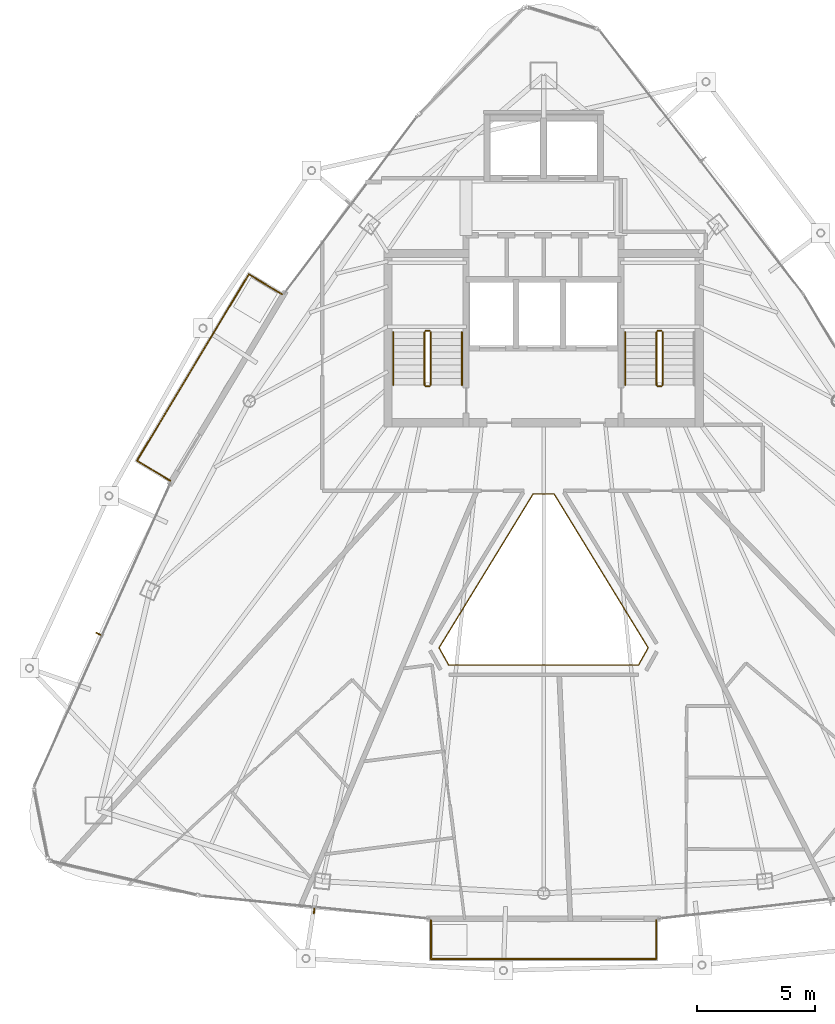
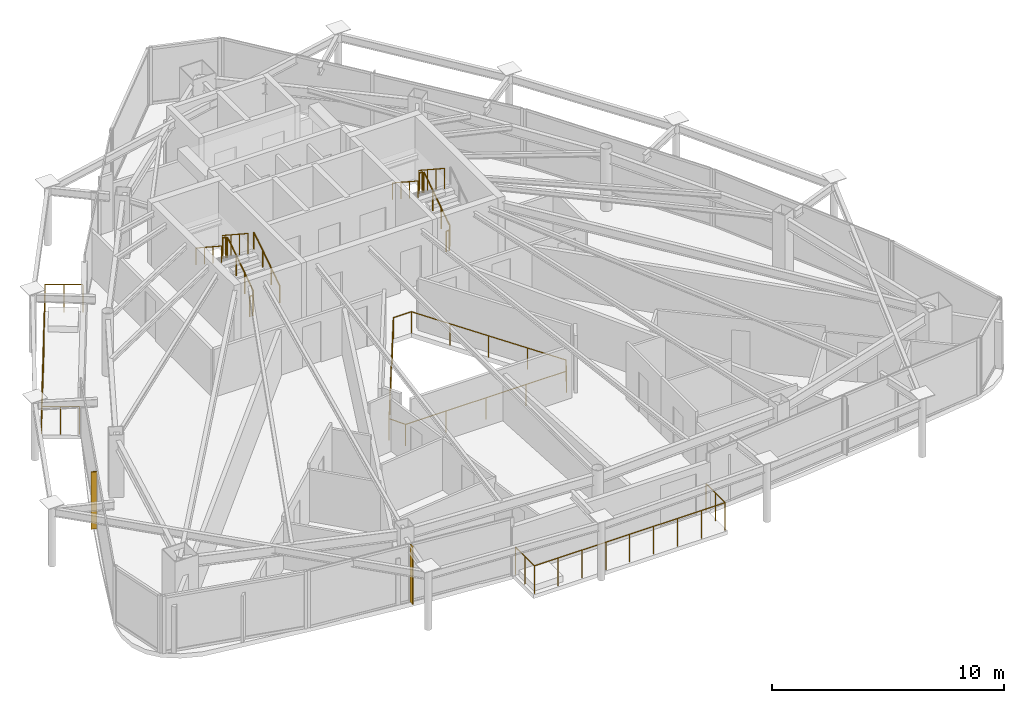
# One storey, part 29 of 30: 14 railings, 2 shading devices.
"""IFC4 building model written with IfcOpenShell, lengths in metres."""

from ifc_helpers import new_model, si_unit, direction, frame, origin, origin_2d, place, context, subcontext, project, spatial, rectangle, circle, extrude, material, layer, layer_set, type_object, element, save


model = new_model("IFC4")

# Units and contexts
model_context = context("Model", 3, precision=1e-05, world=origin(), true_north=direction((0.0, 1.0)))
body_context = subcontext(model_context, "Body", "Model", "MODEL_VIEW")
ifc_project = project(units=[si_unit("LENGTHUNIT", "METRE"), si_unit("AREAUNIT", "SQUARE_METRE"), si_unit("VOLUMEUNIT", "CUBIC_METRE"), si_unit("PLANEANGLEUNIT", "RADIAN"), si_unit("MASSUNIT", "GRAM", prefix="KILO")], contexts=[model_context])

# Site, building, storey
site_placement = place(None, origin())
site = spatial("IfcSite", under=ifc_project, at=site_placement, CompositionType="ELEMENT")
building_placement = place(site_placement, origin())
building = spatial("IfcBuilding", under=site, at=building_placement, Name="Orvanel Arch Residences", CompositionType="ELEMENT")
storey_placement = place(building_placement, frame((0.0, 0.0, 273.35009765625)))
storey = spatial("IfcBuildingStorey", under=building, at=storey_placement, Name="L78", CompositionType="ELEMENT", Elevation=273.35009765625)

# Shading devices
ifc_material_1 = material(Name="Bronze-anodised aluminium AA6063-T6", Category="aluminium")
ifc_layer = layer(ifc_material_1, 0.050048828125)
ifc_layer_set = layer_set([ifc_layer], Name="Bronze-anodised aluminium AA6063-T6")
shading_device_type = type_object("IfcShadingDeviceType", Name="FIN-BRZ-260", PredefinedType="USERDEFINED", material=ifc_layer_set)
for number, where, z_axis, x_axis, name in (
    (1, (14.201904296875, 17.802978515625, 0.0), (0.0, 0.0, 1.0), (-0.912120116172, 0.409923033842, 0.0), "L78 Anodised Bronze Mullion FIN 01"),
    (2, (23.303955078125, 6.10693359375, 0.0), (0.0, 0.0, 1.0), (-0.099319749744, -0.995055569961, 0.0), "L78 Anodised Bronze Mullion FIN 01"),
):
    element("IfcShadingDevice", number, at=place(storey_placement, frame(where, z_axis=z_axis, x_axis=x_axis)), inside=storey, type_object=shading_device_type, Name=name, ObjectType="FIN", PredefinedType="USERDEFINED", context=body_context, shape_type="SweptSolid", body=[
        extrude(rectangle(XDim=0.260009765625, YDim=0.050048828125, at=origin_2d()), origin(), (0.0, 0.0, 1.0), 3.02001953125),
    ])

# Railings
railing_type_1 = type_object("IfcRailingType", Name="RL-ATR-1150", PredefinedType="BALUSTRADE", material=ifc_material_1)
railing_1_placement = place(storey_placement, frame((33.447021484375, 23.7119140625, 0.0)))
element("IfcRailing", 3, at=railing_1_placement, inside=storey, type_object=railing_type_1, Name="L78 Atrium Void Protective Balustrade", PredefinedType="BALUSTRADE", context=body_context, shape_type="SweptSolid", body=[
    extrude(circle(Radius=0.02392578125, at=origin_2d()), frame((-0.00146484375, 0.0, 1.1259765625), z_axis=(-1.0, 0.0, 0.0), x_axis=(0.0, -1.0, 0.0)), (0.0, 0.0, 1.0), 0.89111328125),
    extrude(circle(Radius=0.02392578125, at=origin_2d()), frame((-0.894775390625, -0.001220703125, 1.1259765625), z_axis=(-0.521612229543, -0.853182677972, 0.0), x_axis=(0.853182677972, -0.521612229543, 0.0)), (0.0, 0.0, 1.0), 7.606201171875),
    extrude(circle(Radius=0.02392578125, at=origin_2d()), frame((-4.8623046875, -6.4931640625, 1.1259765625), z_axis=(0.488629954368, -0.872491127573, 0.0), x_axis=(0.872491127573, 0.488629954368, 0.0)), (0.0, 0.0, 1.0), 0.8359375),
    extrude(circle(Radius=0.02392578125, at=origin_2d()), frame((-4.45166015625, -7.223876953125, 1.1259765625), z_axis=(1.0, 0.0, 0.0), x_axis=(0.0, 1.0, 0.0)), (0.0, 0.0, 1.0), 8.00927734375),
    extrude(circle(Radius=0.02392578125, at=origin_2d()), frame((3.559814453125, -7.22265625, 1.1259765625), z_axis=(0.488629954368, 0.872491127573, 0.0), x_axis=(-0.872491127573, 0.488629954368, 0.0)), (0.0, 0.0, 1.0), 0.8359375),
    extrude(circle(Radius=0.02392578125, at=origin_2d()), frame((3.96826171875, -6.49072265625, 1.1259765625), z_axis=(-0.521612229543, 0.853182677972, 0.0), x_axis=(-0.853182677972, -0.521612229543, 0.0)), (0.0, 0.0, 1.0), 7.606201171875),
    extrude(circle(Radius=0.02099609375, at=origin_2d()), origin(), (0.0, 0.0, 1.0), 1.099853515625),
    extrude(circle(Radius=0.02099609375, at=origin_2d()), frame((-0.89404296875, 0.0, 0.0)), (0.0, 0.0, 1.0), 1.099853515625),
    extrude(circle(Radius=0.02099609375, at=origin_2d()), frame((-1.88623046875, -1.623046875, 0.0)), (0.0, 0.0, 1.0), 1.099853515625),
    extrude(circle(Radius=0.02099609375, at=origin_2d()), frame((-2.87841796875, -3.24609375, 0.0)), (0.0, 0.0, 1.0), 1.099853515625),
    extrude(circle(Radius=0.02099609375, at=origin_2d()), frame((-3.870849609375, -4.868896484375, 0.0)), (0.0, 0.0, 1.0), 1.099853515625),
    extrude(circle(Radius=0.02099609375, at=origin_2d()), frame((-4.863037109375, -6.491943359375, 0.0)), (0.0, 0.0, 1.0), 1.099853515625),
    extrude(circle(Radius=0.02099609375, at=origin_2d()), frame((-4.453125, -7.223876953125, 0.0)), (0.0, 0.0, 1.0), 1.099853515625),
    extrude(circle(Radius=0.02099609375, at=origin_2d()), frame((-2.4501953125, -7.223876953125, 0.0)), (0.0, 0.0, 1.0), 1.099853515625),
    extrude(circle(Radius=0.02099609375, at=origin_2d()), frame((-0.447021484375, -7.223876953125, 0.0)), (0.0, 0.0, 1.0), 1.099853515625),
    extrude(circle(Radius=0.02099609375, at=origin_2d()), frame((1.55615234375, -7.223876953125, 0.0)), (0.0, 0.0, 1.0), 1.099853515625),
    extrude(circle(Radius=0.02099609375, at=origin_2d()), frame((3.55908203125, -7.223876953125, 0.0)), (0.0, 0.0, 1.0), 1.099853515625),
    extrude(circle(Radius=0.02099609375, at=origin_2d()), frame((3.968994140625, -6.491943359375, 0.0)), (0.0, 0.0, 1.0), 1.099853515625),
    extrude(circle(Radius=0.02099609375, at=origin_2d()), frame((2.976806640625, -4.868896484375, 0.0)), (0.0, 0.0, 1.0), 1.099853515625),
    extrude(circle(Radius=0.02099609375, at=origin_2d()), frame((1.984375, -3.24609375, 0.0)), (0.0, 0.0, 1.0), 1.099853515625),
    extrude(circle(Radius=0.02099609375, at=origin_2d()), frame((0.9921875, -1.623046875, 0.0)), (0.0, 0.0, 1.0), 1.099853515625),
])
railing_type_2 = type_object("IfcRailingType", Name="RL-BAL-1480", PredefinedType="BALUSTRADE", material=ifc_material_1)
railing_2_placement = place(storey_placement, frame((21.950927734375, 32.156982421875, 0.0)))
element("IfcRailing", 4, at=railing_2_placement, inside=storey, type_object=railing_type_2, Name="L78 Balcony Perimeter Guardrail Face 1", PredefinedType="BALUSTRADE", context=body_context, shape_type="SweptSolid", body=[
    extrude(circle(Radius=0.02392578125, at=origin_2d()), frame((-0.001220703125, 0.000732421875, 1.4560546875), z_axis=(-0.857387817543, 0.514670895164, 0.0), x_axis=(-0.514670895164, -0.857387817543, 0.0)), (0.0, 0.0, 1.0), 1.636962890625),
    extrude(circle(Radius=0.02392578125, at=origin_2d()), frame((-1.40673828125, 0.8427734375, 1.4560546875), z_axis=(-0.514374608429, -0.857565602274, 0.0), x_axis=(0.857565602274, -0.514374608429, 0.0)), (0.0, 0.0, 1.0), 9.1845703125),
    extrude(circle(Radius=0.02392578125, at=origin_2d()), frame((-6.130615234375, -7.03564453125, 1.4560546875), z_axis=(0.857545439568, -0.514408222208, 0.0), x_axis=(0.514408222208, 0.857545439568, 0.0)), (0.0, 0.0, 1.0), 1.6376953125),
    extrude(circle(Radius=0.02099609375, at=origin_2d()), origin(), (0.0, 0.0, 1.0), 1.429931640625),
    extrude(circle(Radius=0.02099609375, at=origin_2d()), frame((-0.703125, 0.421875, 0.0)), (0.0, 0.0, 1.0), 1.429931640625),
    extrude(circle(Radius=0.02099609375, at=origin_2d()), frame((-1.406005859375, 0.843994140625, 0.0)), (0.0, 0.0, 1.0), 1.429931640625),
    extrude(circle(Radius=0.02099609375, at=origin_2d()), frame((-1.996826171875, -0.140869140625, 0.0)), (0.0, 0.0, 1.0), 1.429931640625),
    extrude(circle(Radius=0.02099609375, at=origin_2d()), frame((-2.58740234375, -1.125732421875, 0.0)), (0.0, 0.0, 1.0), 1.429931640625),
    extrude(circle(Radius=0.02099609375, at=origin_2d()), frame((-3.17822265625, -2.110595703125, 0.0)), (0.0, 0.0, 1.0), 1.429931640625),
    extrude(circle(Radius=0.02099609375, at=origin_2d()), frame((-3.76904296875, -3.095458984375, 0.0)), (0.0, 0.0, 1.0), 1.429931640625),
    extrude(circle(Radius=0.02099609375, at=origin_2d()), frame((-4.359619140625, -4.080322265625, 0.0)), (0.0, 0.0, 1.0), 1.429931640625),
    extrude(circle(Radius=0.02099609375, at=origin_2d()), frame((-4.950439453125, -5.065185546875, 0.0)), (0.0, 0.0, 1.0), 1.429931640625),
    extrude(circle(Radius=0.02099609375, at=origin_2d()), frame((-5.541015625, -6.050048828125, 0.0)), (0.0, 0.0, 1.0), 1.429931640625),
    extrude(circle(Radius=0.02099609375, at=origin_2d()), frame((-6.1318359375, -7.034912109375, 0.0)), (0.0, 0.0, 1.0), 1.429931640625),
    extrude(circle(Radius=0.02099609375, at=origin_2d()), frame((-5.42822265625, -7.45703125, 0.0)), (0.0, 0.0, 1.0), 1.429931640625),
    extrude(circle(Radius=0.02099609375, at=origin_2d()), frame((-4.724853515625, -7.87890625, 0.0)), (0.0, 0.0, 1.0), 1.429931640625),
])
railing_3_placement = place(storey_placement, frame((28.239990234375, 5.714111328125, 0.0)))
element("IfcRailing", 5, at=railing_3_placement, inside=storey, type_object=railing_type_2, Name="L78 Balcony Perimeter Guardrail Face 2", PredefinedType="BALUSTRADE", context=body_context, shape_type="SweptSolid", body=[
    extrude(circle(Radius=0.02392578125, at=origin_2d()), frame((0.0, -0.00146484375, 1.4560546875), z_axis=(0.0, -1.0, 0.0), x_axis=(1.0, 0.0, 0.0)), (0.0, 0.0, 1.0), 1.63720703125),
    extrude(circle(Radius=0.02392578125, at=origin_2d()), frame((0.00146484375, -1.64013671875, 1.4560546875), z_axis=(1.0, 0.0, 0.0), x_axis=(0.0, 1.0, 0.0)), (0.0, 0.0, 1.0), 9.51708984375),
    extrude(circle(Radius=0.02392578125, at=origin_2d()), frame((9.52001953125, -1.638671875, 1.4560546875), z_axis=(0.0, 1.0, 0.0), x_axis=(-1.0, 0.0, 0.0)), (0.0, 0.0, 1.0), 1.63720703125),
    extrude(circle(Radius=0.02099609375, at=origin_2d()), origin(), (0.0, 0.0, 1.0), 1.429931640625),
    extrude(circle(Radius=0.02099609375, at=origin_2d()), frame((0.0, -0.820068359375, 0.0)), (0.0, 0.0, 1.0), 1.429931640625),
    extrude(circle(Radius=0.02099609375, at=origin_2d()), frame((0.0, -1.64013671875, 0.0)), (0.0, 0.0, 1.0), 1.429931640625),
    extrude(circle(Radius=0.02099609375, at=origin_2d()), frame((1.18994140625, -1.64013671875, 0.0)), (0.0, 0.0, 1.0), 1.429931640625),
    extrude(circle(Radius=0.02099609375, at=origin_2d()), frame((2.3798828125, -1.64013671875, 0.0)), (0.0, 0.0, 1.0), 1.429931640625),
    extrude(circle(Radius=0.02099609375, at=origin_2d()), frame((3.570068359375, -1.64013671875, 0.0)), (0.0, 0.0, 1.0), 1.429931640625),
    extrude(circle(Radius=0.02099609375, at=origin_2d()), frame((4.760009765625, -1.64013671875, 0.0)), (0.0, 0.0, 1.0), 1.429931640625),
    extrude(circle(Radius=0.02099609375, at=origin_2d()), frame((5.949951171875, -1.64013671875, 0.0)), (0.0, 0.0, 1.0), 1.429931640625),
    extrude(circle(Radius=0.02099609375, at=origin_2d()), frame((7.14013671875, -1.64013671875, 0.0)), (0.0, 0.0, 1.0), 1.429931640625),
    extrude(circle(Radius=0.02099609375, at=origin_2d()), frame((8.330078125, -1.64013671875, 0.0)), (0.0, 0.0, 1.0), 1.429931640625),
    extrude(circle(Radius=0.02099609375, at=origin_2d()), frame((9.52001953125, -1.64013671875, 0.0)), (0.0, 0.0, 1.0), 1.429931640625),
    extrude(circle(Radius=0.02099609375, at=origin_2d()), frame((9.52001953125, -0.820068359375, 0.0)), (0.0, 0.0, 1.0), 1.429931640625),
    extrude(circle(Radius=0.02099609375, at=origin_2d()), frame((9.52001953125, 0.0, 0.0)), (0.0, 0.0, 1.0), 1.429931640625),
])
ifc_material_2 = material(Name="Structural steel AS/NZS 1163 C350L0 (Grade 350)", Category="steel")
railing_type_3 = type_object("IfcRailingType", Name="RL-STAIR-GUARD", PredefinedType="GUARDRAIL", material=ifc_material_2)
railing_4_placement = place(storey_placement, frame((28.22998046875, 28.320068359375, 0.183349609375)))
element("IfcRailing", 6, at=railing_4_placement, inside=storey, type_object=railing_type_3, Name="L78 ST-1 stair guard 1", PredefinedType="GUARDRAIL", context=body_context, shape_type="SweptSolid", body=[
    extrude(circle(Radius=0.02392578125, at=origin_2d()), frame((0.0, 0.001220703125, 1.076904296875), z_axis=(0.0, 0.836636935527, 0.547757827979), x_axis=(-1.0, 0.0, 0.0)), (0.0, 0.0, 1.0), 2.67431640625),
    extrude(circle(Radius=0.02099609375, at=origin_2d()), origin(), (0.0, 0.0, 1.0), 1.050048828125),
    extrude(circle(Radius=0.02099609375, at=origin_2d()), frame((0.0, 0.74658203125, 0.48876953125)), (0.0, 0.0, 1.0), 1.050048828125),
    extrude(circle(Radius=0.02099609375, at=origin_2d()), frame((0.0, 1.493408203125, 0.977783203125)), (0.0, 0.0, 1.0), 1.050048828125),
    extrude(circle(Radius=0.02099609375, at=origin_2d()), frame((0.0, 2.239990234375, 1.466552734375)), (0.0, 0.0, 1.0), 1.050048828125),
])
railing_5_placement = place(storey_placement, frame((28.179931640625, 30.610107421875, 1.64990234375)))
element("IfcRailing", 7, at=railing_5_placement, inside=storey, type_object=railing_type_3, Name="L78 ST-1 stair guard 2", PredefinedType="GUARDRAIL", context=body_context, shape_type="SweptSolid", body=[
    extrude(circle(Radius=0.02392578125, at=origin_2d()), frame((-0.00146484375, 0.0, 1.076171875), z_axis=(-1.0, 0.0, 0.0), x_axis=(0.0, -1.0, 0.0)), (0.0, 0.0, 1.0), 0.156982421875),
    extrude(circle(Radius=0.02099609375, at=origin_2d()), origin(), (0.0, 0.0, 1.0), 1.050048828125),
    extrude(circle(Radius=0.02099609375, at=origin_2d()), frame((-0.159912109375, 0.0, 0.0)), (0.0, 0.0, 1.0), 1.050048828125),
])
railing_6_placement = place(storey_placement, frame((27.969970703125, 30.56005859375, 1.833251953125)))
element("IfcRailing", 8, at=railing_6_placement, inside=storey, type_object=railing_type_3, Name="L78 ST-1 stair guard 3", PredefinedType="GUARDRAIL", context=body_context, shape_type="SweptSolid", body=[
    extrude(circle(Radius=0.02392578125, at=origin_2d()), frame((0.0, -0.001220703125, 1.076904296875), z_axis=(0.0, -0.836636935527, 0.547757827979), x_axis=(1.0, 0.0, 0.0)), (0.0, 0.0, 1.0), 2.67431640625),
    extrude(circle(Radius=0.02099609375, at=origin_2d()), origin(), (0.0, 0.0, 1.0), 1.050048828125),
    extrude(circle(Radius=0.02099609375, at=origin_2d()), frame((0.0, -0.74658203125, 0.48876953125)), (0.0, 0.0, 1.0), 1.050048828125),
    extrude(circle(Radius=0.02099609375, at=origin_2d()), frame((0.0, -1.493408203125, 0.977783203125)), (0.0, 0.0, 1.0), 1.050048828125),
    extrude(circle(Radius=0.02099609375, at=origin_2d()), frame((0.0, -2.239990234375, 1.466552734375)), (0.0, 0.0, 1.0), 1.050048828125),
])
railing_7_placement = place(storey_placement, frame((28.179931640625, 28.27001953125, 0.0)))
element("IfcRailing", 9, at=railing_7_placement, inside=storey, type_object=railing_type_3, Name="L78 ST-1 stair guard 4", PredefinedType="GUARDRAIL", context=body_context, shape_type="SweptSolid", body=[
    extrude(circle(Radius=0.02392578125, at=origin_2d()), frame((-0.00146484375, 0.0, 1.076171875), z_axis=(-1.0, 0.0, 0.0), x_axis=(0.0, -1.0, 0.0)), (0.0, 0.0, 1.0), 0.156982421875),
    extrude(circle(Radius=0.02099609375, at=origin_2d()), origin(), (0.0, 0.0, 1.0), 1.050048828125),
    extrude(circle(Radius=0.02099609375, at=origin_2d()), frame((-0.159912109375, 0.0, 0.0)), (0.0, 0.0, 1.0), 1.050048828125),
])
railing_8_placement = place(storey_placement, frame((38.030029296875, 28.320068359375, 0.183349609375)))
element("IfcRailing", 10, at=railing_8_placement, inside=storey, type_object=railing_type_3, Name="L78 ST-2 stair guard 1", PredefinedType="GUARDRAIL", context=body_context, shape_type="SweptSolid", body=[
    extrude(circle(Radius=0.02392578125, at=origin_2d()), frame((0.0, 0.001220703125, 1.076904296875), z_axis=(0.0, 0.836636935527, 0.547757827979), x_axis=(-1.0, 0.0, 0.0)), (0.0, 0.0, 1.0), 2.67431640625),
    extrude(circle(Radius=0.02099609375, at=origin_2d()), origin(), (0.0, 0.0, 1.0), 1.050048828125),
    extrude(circle(Radius=0.02099609375, at=origin_2d()), frame((0.0, 0.74658203125, 0.48876953125)), (0.0, 0.0, 1.0), 1.050048828125),
    extrude(circle(Radius=0.02099609375, at=origin_2d()), frame((0.0, 1.493408203125, 0.977783203125)), (0.0, 0.0, 1.0), 1.050048828125),
    extrude(circle(Radius=0.02099609375, at=origin_2d()), frame((0.0, 2.239990234375, 1.466552734375)), (0.0, 0.0, 1.0), 1.050048828125),
])
railing_9_placement = place(storey_placement, frame((37.97998046875, 30.610107421875, 1.64990234375)))
element("IfcRailing", 11, at=railing_9_placement, inside=storey, type_object=railing_type_3, Name="L78 ST-2 stair guard 2", PredefinedType="GUARDRAIL", context=body_context, shape_type="SweptSolid", body=[
    extrude(circle(Radius=0.02392578125, at=origin_2d()), frame((-0.00146484375, 0.0, 1.076171875), z_axis=(-1.0, 0.0, 0.0), x_axis=(0.0, -1.0, 0.0)), (0.0, 0.0, 1.0), 0.156982421875),
    extrude(circle(Radius=0.02099609375, at=origin_2d()), origin(), (0.0, 0.0, 1.0), 1.050048828125),
    extrude(circle(Radius=0.02099609375, at=origin_2d()), frame((-0.159912109375, 0.0, 0.0)), (0.0, 0.0, 1.0), 1.050048828125),
])
railing_10_placement = place(storey_placement, frame((37.77001953125, 30.56005859375, 1.833251953125)))
element("IfcRailing", 12, at=railing_10_placement, inside=storey, type_object=railing_type_3, Name="L78 ST-2 stair guard 3", PredefinedType="GUARDRAIL", context=body_context, shape_type="SweptSolid", body=[
    extrude(circle(Radius=0.02392578125, at=origin_2d()), frame((0.0, -0.001220703125, 1.076904296875), z_axis=(0.0, -0.836636935527, 0.547757827979), x_axis=(1.0, 0.0, 0.0)), (0.0, 0.0, 1.0), 2.67431640625),
    extrude(circle(Radius=0.02099609375, at=origin_2d()), origin(), (0.0, 0.0, 1.0), 1.050048828125),
    extrude(circle(Radius=0.02099609375, at=origin_2d()), frame((0.0, -0.74658203125, 0.48876953125)), (0.0, 0.0, 1.0), 1.050048828125),
    extrude(circle(Radius=0.02099609375, at=origin_2d()), frame((0.0, -1.493408203125, 0.977783203125)), (0.0, 0.0, 1.0), 1.050048828125),
    extrude(circle(Radius=0.02099609375, at=origin_2d()), frame((0.0, -2.239990234375, 1.466552734375)), (0.0, 0.0, 1.0), 1.050048828125),
])
railing_11_placement = place(storey_placement, frame((37.97998046875, 28.27001953125, 0.0)))
element("IfcRailing", 13, at=railing_11_placement, inside=storey, type_object=railing_type_3, Name="L78 ST-2 stair guard 4", PredefinedType="GUARDRAIL", context=body_context, shape_type="SweptSolid", body=[
    extrude(circle(Radius=0.02392578125, at=origin_2d()), frame((-0.00146484375, 0.0, 1.076171875), z_axis=(-1.0, 0.0, 0.0), x_axis=(0.0, -1.0, 0.0)), (0.0, 0.0, 1.0), 0.156982421875),
    extrude(circle(Radius=0.02099609375, at=origin_2d()), origin(), (0.0, 0.0, 1.0), 1.050048828125),
    extrude(circle(Radius=0.02099609375, at=origin_2d()), frame((-0.159912109375, 0.0, 0.0)), (0.0, 0.0, 1.0), 1.050048828125),
])
railing_type_4 = type_object("IfcRailingType", Name="RL-STAIR-HAND", PredefinedType="HANDRAIL", material=ifc_material_2)
railing_12_placement = place(storey_placement, frame((29.550048828125, 28.320068359375, 0.183349609375)))
element("IfcRailing", 14, at=railing_12_placement, inside=storey, type_object=railing_type_4, Name="L78 ST-1 stair handrail 1", PredefinedType="HANDRAIL", context=body_context, shape_type="SweptSolid", body=[
    extrude(circle(Radius=0.02392578125, at=origin_2d()), frame((0.0, 0.001220703125, 0.876708984375), z_axis=(0.0, 0.836636935527, 0.547757827979), x_axis=(-1.0, 0.0, 0.0)), (0.0, 0.0, 1.0), 2.67431640625),
    extrude(circle(Radius=0.02099609375, at=origin_2d()), origin(), (0.0, 0.0, 1.0), 0.849853515625),
    extrude(circle(Radius=0.02099609375, at=origin_2d()), frame((0.0, 0.74658203125, 0.48876953125)), (0.0, 0.0, 1.0), 0.849853515625),
    extrude(circle(Radius=0.02099609375, at=origin_2d()), frame((0.0, 1.493408203125, 0.977783203125)), (0.0, 0.0, 1.0), 0.849853515625),
    extrude(circle(Radius=0.02099609375, at=origin_2d()), frame((0.0, 2.239990234375, 1.466552734375)), (0.0, 0.0, 1.0), 0.849853515625),
])
for number, where, name in (
    (15, (26.64990234375, 30.56005859375, 1.833251953125), "L78 ST-1 stair handrail 2"),
    (16, (36.449951171875, 30.56005859375, 1.833251953125), "L78 ST-2 stair handrail 2"),
):
    element("IfcRailing", number, at=place(storey_placement, frame(where)), inside=storey, type_object=railing_type_4, Name=name, PredefinedType="HANDRAIL", context=body_context, shape_type="SweptSolid", body=[
        extrude(circle(Radius=0.02392578125, at=origin_2d()), frame((0.0, -0.001220703125, 0.876708984375), z_axis=(0.0, -0.836636935527, 0.547757827979), x_axis=(1.0, 0.0, 0.0)), (0.0, 0.0, 1.0), 2.67431640625),
        extrude(circle(Radius=0.02099609375, at=origin_2d()), origin(), (0.0, 0.0, 1.0), 0.849853515625),
        extrude(circle(Radius=0.02099609375, at=origin_2d()), frame((0.0, -0.74658203125, 0.48876953125)), (0.0, 0.0, 1.0), 0.849853515625),
        extrude(circle(Radius=0.02099609375, at=origin_2d()), frame((0.0, -1.493408203125, 0.977783203125)), (0.0, 0.0, 1.0), 0.849853515625),
        extrude(circle(Radius=0.02099609375, at=origin_2d()), frame((0.0, -2.239990234375, 1.466552734375)), (0.0, 0.0, 1.0), 0.849853515625),
    ])

save(model, "model.ifc")
